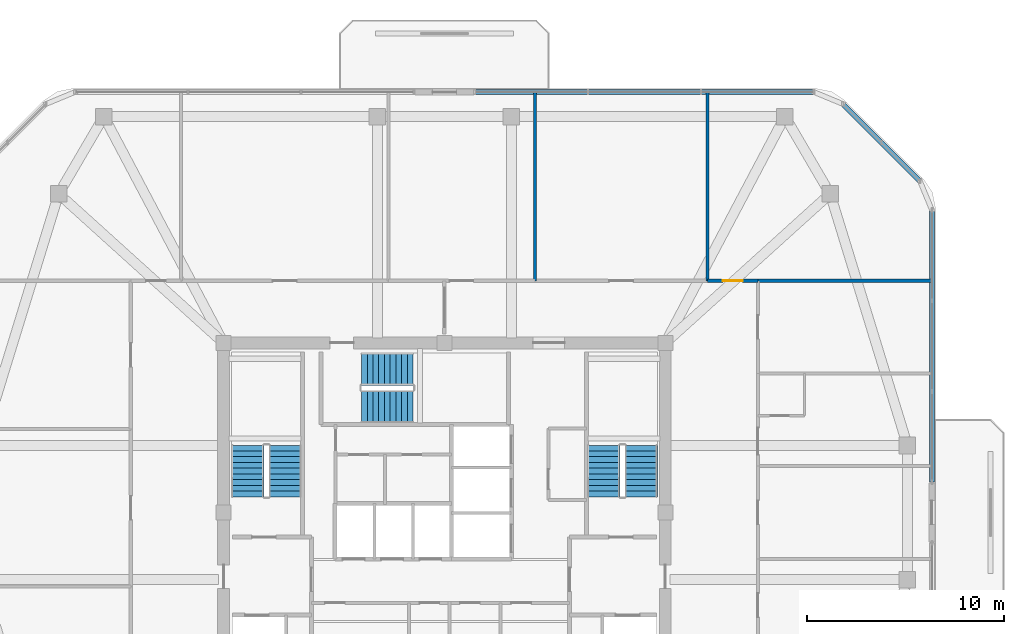
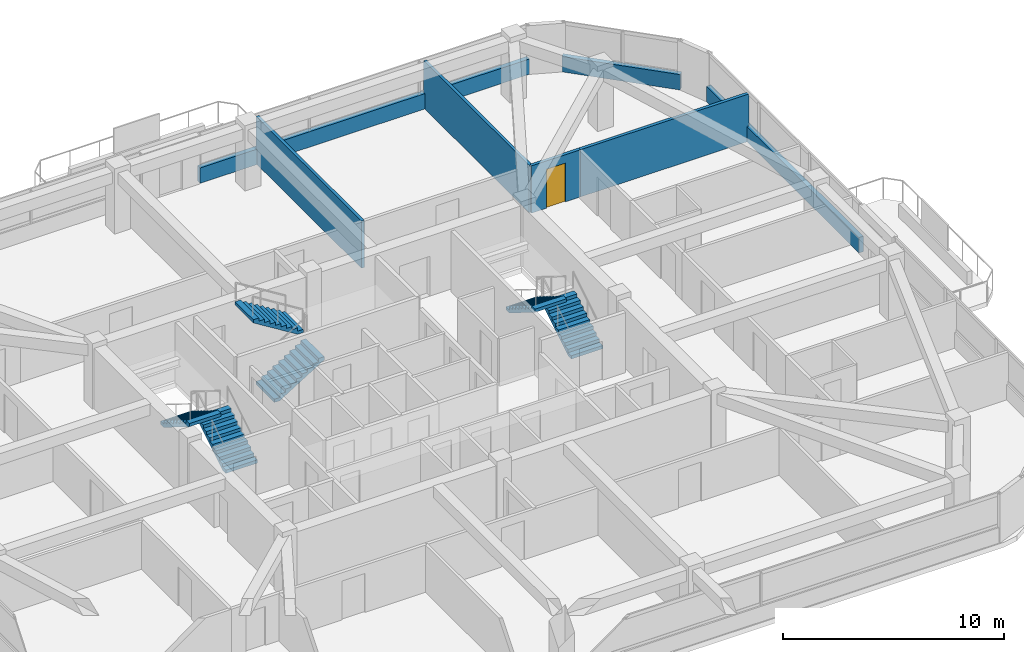
# One storey, part 12 of 14: 7 walls, 6 stair flights, 1 door, 1 opening, 3 elements without a shape of their own.
"""IFC4 building model written with IfcOpenShell, lengths in metres."""

from ifc_helpers import new_model, si_unit, derived_unit, direction, frame, frame_2d, origin, place, context, subcontext, project, spatial, polyline, rectangle, outline, extrude, material, layer, layer_set, type_object, element, fill, aggregate, save


model = new_model("IFC4")

# Units and contexts
model_context = context("Model", 3, precision=1e-05, world=origin(), true_north=direction((0.0, 1.0)))
body_context = subcontext(model_context, "Body", "Model", "MODEL_VIEW")
ifc_project = project(units=[si_unit("LENGTHUNIT", "METRE"), si_unit("AREAUNIT", "SQUARE_METRE"), si_unit("VOLUMEUNIT", "CUBIC_METRE"), si_unit("PLANEANGLEUNIT", "RADIAN"), si_unit("MASSUNIT", "GRAM", prefix="KILO"), derived_unit("THERMALTRANSMITTANCEUNIT", [(si_unit("POWERUNIT", "WATT"), 1), (si_unit("LENGTHUNIT", "METRE"), -2), (si_unit("THERMODYNAMICTEMPERATUREUNIT", "KELVIN"), -1)])], contexts=[model_context])

# Site, building, storey
site_placement = place(None, origin())
site = spatial("IfcSite", under=ifc_project, at=site_placement, CompositionType="ELEMENT")
building_placement = place(site_placement, origin())
building = spatial("IfcBuilding", under=site, at=building_placement, Name="Koralith Skygarden Medical Center", CompositionType="ELEMENT")
storey_placement = place(building_placement, frame((0.0, 0.0, 260.820068359375)))
storey = spatial("IfcBuildingStorey", under=building, at=storey_placement, Name="L67", CompositionType="ELEMENT", Elevation=260.820068359375)

# Walls
ifc_material_1 = material(Name="Gypsum Board Partition")
ifc_layer_1 = layer(ifc_material_1, 0.14990234375)
ifc_layer_set_1 = layer_set([ifc_layer_1], Name="Gypsum Board Partition")
wall_type_1 = type_object("IfcWallType", Name="Clinical Acoustic Partition 150", PredefinedType="PARTITIONING", material=ifc_layer_set_1)
for number, where, z_axis, x_axis, name in (
    (1, (41.583984375, 37.64990234375, 0.0), (0.0, 0.0, 1.0), (0.0, 1.0, 0.0), "L67 Clinical Acoustic Partition 150 W-PART-L67-N-03"),
    (2, (50.35009765625, 37.64990234375, 0.0), (0.0, 0.0, 1.0), (0.0, 1.0, 0.0), "L67 Clinical Acoustic Partition 150 W-PART-L67-N-04"),
):
    element("IfcWall", number, at=place(storey_placement, frame(where, z_axis=z_axis, x_axis=x_axis)), inside=storey, type_object=wall_type_1, Name=name, PredefinedType="PARTITIONING", context=body_context, shape_type="SweptSolid", body=[
        extrude(rectangle(XDim=9.550048828125, YDim=0.14990234375, at=frame_2d((4.77490234375, 0.0))), origin(), (0.0, 0.0, 1.0), 2.60986328125),
    ])
ifc_layer_2 = layer(ifc_material_1, 0.1650390625)
ifc_layer_set_2 = layer_set([ifc_layer_2], Name="Gypsum Board Partition")
wall_type_2 = type_object("IfcWallType", Name="Clinical Corridor Partition 165", PredefinedType="PARTITIONING", material=ifc_layer_set_2)
wall_1_placement = place(storey_placement, frame((52.89990234375, 37.64990234375, 0.0), z_axis=(0.0, 0.0, 1.0), x_axis=(1.0, 0.0, 0.0)))
element("IfcWall", 3, at=wall_1_placement, inside=storey, type_object=wall_type_2, Name="L67 Clinical Corridor Partition 165 W-WB-L67-NE", PredefinedType="PARTITIONING", context=body_context, shape_type="SweptSolid", body=[
    extrude(rectangle(XDim=8.800048828125, YDim=0.1650390625, at=frame_2d((4.39990234375, 0.0))), origin(), (0.0, 0.0, 1.0), 2.60986328125),
])

# Wall, opening, door
wall_2_placement = place(storey_placement, frame((50.35009765625, 37.64990234375, 0.0), z_axis=(0.0, 0.0, 1.0), x_axis=(1.0, 0.0, 0.0)))
wall_2 = element("IfcWall", 4, at=wall_2_placement, inside=storey, type_object=wall_type_2, Name="L67 Clinical Corridor Partition 165 W-CORR-L67-N-05", PredefinedType="PARTITIONING", context=body_context, shape_type="SweptSolid", body=[
    extrude(rectangle(XDim=2.5498046875, YDim=0.1650390625, at=frame_2d((1.27490234375, 0.0))), origin(), (0.0, 0.0, 1.0), 2.60986328125),
])
opening_placement = place(wall_2_placement, frame((0.77490234375, 0.0, 0.0)))
opening = element("IfcOpeningElement", 5, at=opening_placement, cuts=wall_2, Name="Opening D-SUP", PredefinedType="OPENING", context=body_context, shape_type="SweptSolid", body=[
    extrude(rectangle(XDim=1.0, YDim=2.14990234375, at=frame_2d((0.5, 1.074951171875))), frame((0.0, 0.092529296875, 0.0), z_axis=(0.0, -1.0, 0.0), x_axis=(1.0, 0.0, 0.0)), (0.0, 0.0, 1.0), 0.18505859375),
])
ifc_material_2 = material(Name="Aluminium 6063-T6", Category="aluminium")
door_type = type_object("IfcDoorType", Name="Clinical Support Door D-SUP 1000", OperationType="NOTDEFINED", PredefinedType="DOOR", material=ifc_material_2)
door_placement = place(opening_placement, origin())
door = element("IfcDoor", 6, at=door_placement, inside=storey, type_object=door_type, Name="L67 Epidemiology Huddle Room 05 Door", OperationType="SINGLE_SWING_RIGHT", OverallHeight=2.14990234375, OverallWidth=1.0, PredefinedType="DOOR", context=body_context, shape_type="SweptSolid", body=[
    extrude(rectangle(XDim=1.0, YDim=2.14990234375, at=frame_2d((0.5, 1.074951171875))), frame((0.0, 0.02490234375, 0.0), z_axis=(0.0, -1.0, 0.0), x_axis=(1.0, 0.0, 0.0)), (0.0, 0.0, 1.0), 0.050048828125),
])
fill(opening, door)

# Walls
ifc_material_3 = material(Name="Warm Oolitic Limestone Cladding", Category="masonry")
ifc_layer_3 = layer(ifc_material_3, 0.239990234375)
ifc_layer_set_3 = layer_set([ifc_layer_3], Name="Warm Oolitic Limestone Cladding")
wall_type_3 = type_object("IfcWallType", Name="Limestone Spandrel Sill Backup Wall 240", PredefinedType="SOLIDWALL", material=ifc_layer_set_3)
wall_3_placement = place(storey_placement, frame((61.719970703125, 27.43994140625, 0.0), z_axis=(0.0, 0.0, 1.0), x_axis=(0.0, 1.0, 0.0)))
element("IfcWall", 7, at=wall_3_placement, inside=storey, type_object=wall_type_3, Name="L67 Sill Spandrel E-R", PredefinedType="SOLIDWALL", context=body_context, shape_type="SweptSolid", body=[
    extrude(rectangle(XDim=13.80517578125, YDim=0.239990234375, at=frame_2d((6.902587890625, 0.0))), origin(), (0.0, 0.0, 1.0), 0.849853515625),
])
wall_4_placement = place(storey_placement, frame((61.118896484375, 42.696044921875, 0.0), z_axis=(0.0, 0.0, 1.0), x_axis=(-0.707106781187, 0.707106781187, 0.0)))
element("IfcWall", 8, at=wall_4_placement, inside=storey, type_object=wall_type_3, Name="L67 Sill Spandrel NE", PredefinedType="SOLIDWALL", context=body_context, shape_type="SweptSolid", body=[
    extrude(rectangle(XDim=5.5478515625, YDim=0.239990234375, at=frame_2d((2.77392578125, 0.0))), origin(), (0.0, 0.0, 1.0), 0.849853515625),
])
wall_5_placement = place(storey_placement, frame((55.7451171875, 47.219970703125, 0.0), z_axis=(0.0, 0.0, 1.0), x_axis=(-1.0, 0.0, 0.0)))
element("IfcWall", 9, at=wall_5_placement, inside=storey, type_object=wall_type_3, Name="L67 Sill Spandrel N-L", PredefinedType="SOLIDWALL", context=body_context, shape_type="SweptSolid", body=[
    extrude(rectangle(XDim=17.2041015625, YDim=0.239990234375, at=frame_2d((8.60205078125, 0.0))), origin(), (0.0, 0.0, 1.0), 0.849853515625),
])

# Stair, stair flights
ifc_material_4 = material(Name="Concrete C45/55", Category="concrete")
stair_type = type_object("IfcStairType", Name="Core Exit Dogleg Concrete Stair", PredefinedType="HALF_TURN_STAIR", material=ifc_material_4)
stair_1_placement = place(storey_placement, origin())
stair_1 = element("IfcStair", 10, at=stair_1_placement, inside=storey, type_object=stair_type, Name="L67 Smokeproof Exit Stair ST1", PredefinedType="HALF_TURN_STAIR")
stair_flight_type = type_object("IfcStairFlightType", Name="Core Exit Concrete Stair Flight 1650", PredefinedType="STRAIGHT", material=ifc_material_4)
stair_flight_1_placement = place(storey_placement, frame((28.925048828125, 26.699951171875, 0.0), z_axis=(0.0, 0.0, 1.0), x_axis=(0.0, 1.0, 0.0)))
stair_flight_1 = element("IfcStairFlight", 11, at=stair_flight_1_placement, type_object=stair_flight_type, Name="ST1 flight 1", NumberOfRisers=10, NumberOfTreads=9, PredefinedType="STRAIGHT", RiserHeight=0.18, TreadLength=0.29, context=body_context, shape_type="SweptSolid", body=[
    extrude(outline(polyline([(0.0, 0.0), (0.0, 0.179931640625), (0.2900390625, 0.179931640625), (0.2900390625, 0.360107421875), (0.580078125, 0.360107421875), (0.580078125, 0.5400390625), (0.8701171875, 0.5400390625), (0.8701171875, 0.719970703125), (1.159912109375, 0.719970703125), (1.159912109375, 0.89990234375), (1.449951171875, 0.89990234375), (1.449951171875, 1.080078125), (1.739990234375, 1.080078125), (1.739990234375, 1.260009765625), (2.030029296875, 1.260009765625), (2.030029296875, 1.43994140625), (2.320068359375, 1.43994140625), (2.320068359375, 1.6201171875), (2.610107421875, 1.6201171875), (2.610107421875, 1.800048828125), (2.610107421875, 1.443603515625), (0.2841796875, 0.0), (0.0, 0.0)])), frame((0.0, 0.824951171875, 0.0), z_axis=(0.0, -1.0, 0.0), x_axis=(1.0, 0.0, 0.0)), (0.0, 0.0, 1.0), 1.64990234375),
])
stair_flight_2_placement = place(storey_placement, frame((27.02490234375, 29.31005859375, 1.800048828125), z_axis=(0.0, 0.0, 1.0), x_axis=(0.0, -1.0, 0.0)))
stair_flight_2 = element("IfcStairFlight", 12, at=stair_flight_2_placement, type_object=stair_flight_type, Name="ST1 flight 2", NumberOfRisers=10, NumberOfTreads=9, PredefinedType="STRAIGHT", RiserHeight=0.18, TreadLength=0.29, context=body_context, shape_type="SweptSolid", body=[
    extrude(outline(polyline([(0.0, 0.0), (0.0, 0.179931640625), (0.2900390625, 0.179931640625), (0.2900390625, 0.360107421875), (0.580078125, 0.360107421875), (0.580078125, 0.5400390625), (0.8701171875, 0.5400390625), (0.8701171875, 0.719970703125), (1.159912109375, 0.719970703125), (1.159912109375, 0.89990234375), (1.449951171875, 0.89990234375), (1.449951171875, 1.080078125), (1.739990234375, 1.080078125), (1.739990234375, 1.260009765625), (2.030029296875, 1.260009765625), (2.030029296875, 1.43994140625), (2.320068359375, 1.43994140625), (2.320068359375, 1.6201171875), (2.610107421875, 1.6201171875), (2.610107421875, 1.800048828125), (2.610107421875, 1.443603515625), (0.2841796875, 0.0), (0.0, 0.0)])), frame((0.0, 0.824951171875, 0.0), z_axis=(0.0, -1.0, 0.0), x_axis=(1.0, 0.0, 0.0)), (0.0, 0.0, 1.0), 1.64990234375),
])
aggregate(stair_1, [stair_flight_1, stair_flight_2])

stair_2_placement = place(storey_placement, origin())
stair_2 = element("IfcStair", 13, at=stair_2_placement, inside=storey, type_object=stair_type, Name="L67 Smokeproof Exit Stair ST2", PredefinedType="HALF_TURN_STAIR")
stair_flight_3_placement = place(storey_placement, frame((46.97509765625, 26.699951171875, 0.0), z_axis=(0.0, 0.0, 1.0), x_axis=(0.0, 1.0, 0.0)))
stair_flight_3 = element("IfcStairFlight", 14, at=stair_flight_3_placement, type_object=stair_flight_type, Name="ST2 flight 1", NumberOfRisers=10, NumberOfTreads=9, PredefinedType="STRAIGHT", RiserHeight=0.18, TreadLength=0.29, context=body_context, shape_type="SweptSolid", body=[
    extrude(outline(polyline([(0.0, 0.0), (0.0, 0.179931640625), (0.2900390625, 0.179931640625), (0.2900390625, 0.360107421875), (0.580078125, 0.360107421875), (0.580078125, 0.5400390625), (0.8701171875, 0.5400390625), (0.8701171875, 0.719970703125), (1.159912109375, 0.719970703125), (1.159912109375, 0.89990234375), (1.449951171875, 0.89990234375), (1.449951171875, 1.080078125), (1.739990234375, 1.080078125), (1.739990234375, 1.260009765625), (2.030029296875, 1.260009765625), (2.030029296875, 1.43994140625), (2.320068359375, 1.43994140625), (2.320068359375, 1.6201171875), (2.610107421875, 1.6201171875), (2.610107421875, 1.800048828125), (2.610107421875, 1.443603515625), (0.2841796875, 0.0), (0.0, 0.0)])), frame((0.0, 0.824951171875, 0.0), z_axis=(0.0, -1.0, 0.0), x_axis=(1.0, 0.0, 0.0)), (0.0, 0.0, 1.0), 1.64990234375),
])
stair_flight_4_placement = place(storey_placement, frame((45.074951171875, 29.31005859375, 1.800048828125), z_axis=(0.0, 0.0, 1.0), x_axis=(0.0, -1.0, 0.0)))
stair_flight_4 = element("IfcStairFlight", 15, at=stair_flight_4_placement, type_object=stair_flight_type, Name="ST2 flight 2", NumberOfRisers=10, NumberOfTreads=9, PredefinedType="STRAIGHT", RiserHeight=0.18, TreadLength=0.29, context=body_context, shape_type="SweptSolid", body=[
    extrude(outline(polyline([(0.0, 0.0), (0.0, 0.179931640625), (0.2900390625, 0.179931640625), (0.2900390625, 0.360107421875), (0.580078125, 0.360107421875), (0.580078125, 0.5400390625), (0.8701171875, 0.5400390625), (0.8701171875, 0.719970703125), (1.159912109375, 0.719970703125), (1.159912109375, 0.89990234375), (1.449951171875, 0.89990234375), (1.449951171875, 1.080078125), (1.739990234375, 1.080078125), (1.739990234375, 1.260009765625), (2.030029296875, 1.260009765625), (2.030029296875, 1.43994140625), (2.320068359375, 1.43994140625), (2.320068359375, 1.6201171875), (2.610107421875, 1.6201171875), (2.610107421875, 1.800048828125), (2.610107421875, 1.443603515625), (0.2841796875, 0.0), (0.0, 0.0)])), frame((0.0, 0.824951171875, 0.0), z_axis=(0.0, -1.0, 0.0), x_axis=(1.0, 0.0, 0.0)), (0.0, 0.0, 1.0), 1.64990234375),
])
aggregate(stair_2, [stair_flight_3, stair_flight_4])

stair_3_placement = place(storey_placement, origin())
stair_3 = element("IfcStair", 16, at=stair_3_placement, inside=storey, type_object=stair_type, Name="L67 Smokeproof Exit Stair ST3", PredefinedType="HALF_TURN_STAIR")
stair_flight_5_placement = place(storey_placement, frame((32.800048828125, 31.27490234375, 0.0), z_axis=(0.0, 0.0, 1.0), x_axis=(1.0, 0.0, 0.0)))
stair_flight_5 = element("IfcStairFlight", 17, at=stair_flight_5_placement, type_object=stair_flight_type, Name="ST3 flight 1", NumberOfRisers=10, NumberOfTreads=9, PredefinedType="STRAIGHT", RiserHeight=0.18, TreadLength=0.29, context=body_context, shape_type="SweptSolid", body=[
    extrude(outline(polyline([(0.0, 0.0), (0.0, 0.179931640625), (0.2900390625, 0.179931640625), (0.2900390625, 0.360107421875), (0.580078125, 0.360107421875), (0.580078125, 0.5400390625), (0.8701171875, 0.5400390625), (0.8701171875, 0.719970703125), (1.159912109375, 0.719970703125), (1.159912109375, 0.89990234375), (1.449951171875, 0.89990234375), (1.449951171875, 1.080078125), (1.739990234375, 1.080078125), (1.739990234375, 1.260009765625), (2.030029296875, 1.260009765625), (2.030029296875, 1.43994140625), (2.320068359375, 1.43994140625), (2.320068359375, 1.6201171875), (2.610107421875, 1.6201171875), (2.610107421875, 1.800048828125), (2.610107421875, 1.443603515625), (0.2841796875, 0.0), (0.0, 0.0)])), frame((0.0, 0.824951171875, 0.0), z_axis=(0.0, -1.0, 0.0), x_axis=(1.0, 0.0, 0.0)), (0.0, 0.0, 1.0), 1.64990234375),
])
stair_flight_6_placement = place(storey_placement, frame((35.409912109375, 33.175048828125, 1.800048828125), z_axis=(0.0, 0.0, 1.0), x_axis=(-1.0, 0.0, 0.0)))
stair_flight_6 = element("IfcStairFlight", 18, at=stair_flight_6_placement, type_object=stair_flight_type, Name="ST3 flight 2", NumberOfRisers=10, NumberOfTreads=9, PredefinedType="STRAIGHT", RiserHeight=0.18, TreadLength=0.29, context=body_context, shape_type="SweptSolid", body=[
    extrude(outline(polyline([(0.0, 0.0), (0.0, 0.179931640625), (0.2900390625, 0.179931640625), (0.2900390625, 0.360107421875), (0.580078125, 0.360107421875), (0.580078125, 0.5400390625), (0.8701171875, 0.5400390625), (0.8701171875, 0.719970703125), (1.159912109375, 0.719970703125), (1.159912109375, 0.89990234375), (1.449951171875, 0.89990234375), (1.449951171875, 1.080078125), (1.739990234375, 1.080078125), (1.739990234375, 1.260009765625), (2.030029296875, 1.260009765625), (2.030029296875, 1.43994140625), (2.320068359375, 1.43994140625), (2.320068359375, 1.6201171875), (2.610107421875, 1.6201171875), (2.610107421875, 1.800048828125), (2.610107421875, 1.443603515625), (0.2841796875, 0.0), (0.0, 0.0)])), frame((0.0, 0.824951171875, 0.0), z_axis=(0.0, -1.0, 0.0), x_axis=(1.0, 0.0, 0.0)), (0.0, 0.0, 1.0), 1.64990234375),
])
aggregate(stair_3, [stair_flight_5, stair_flight_6])

save(model, "model.ifc")
